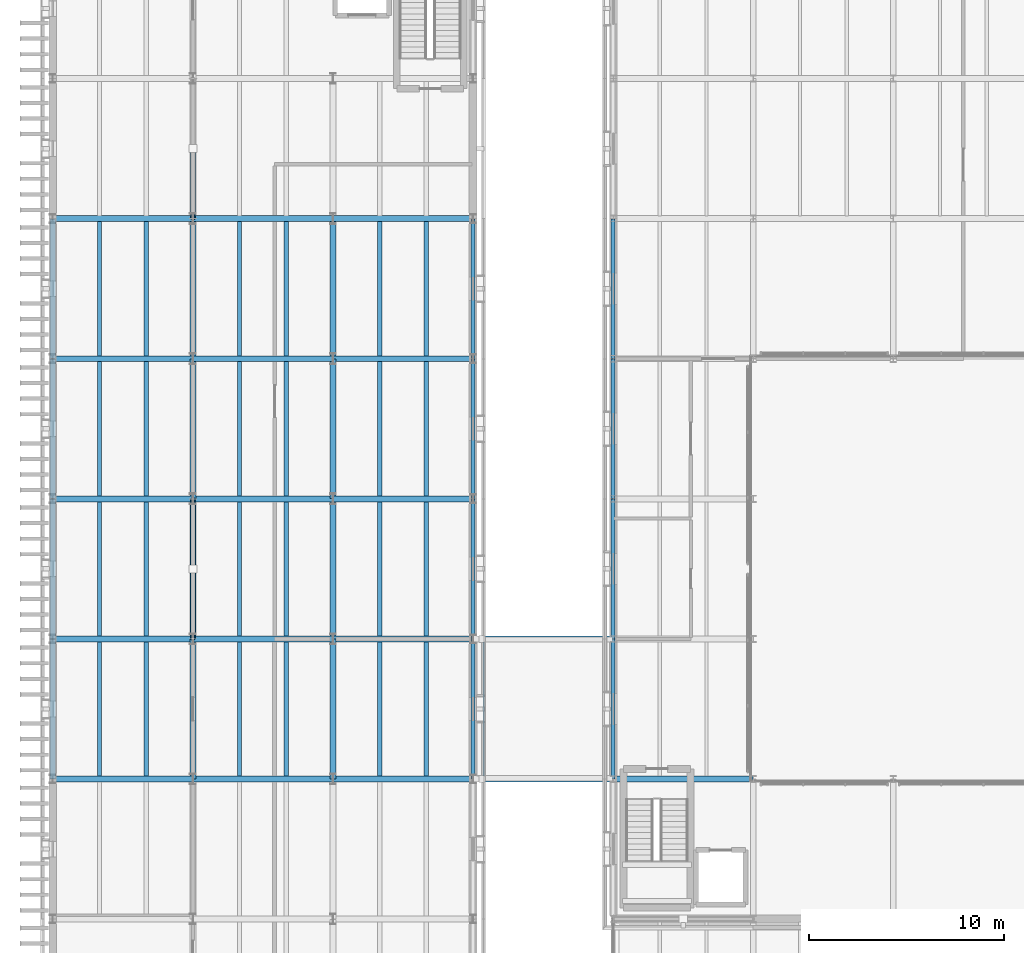
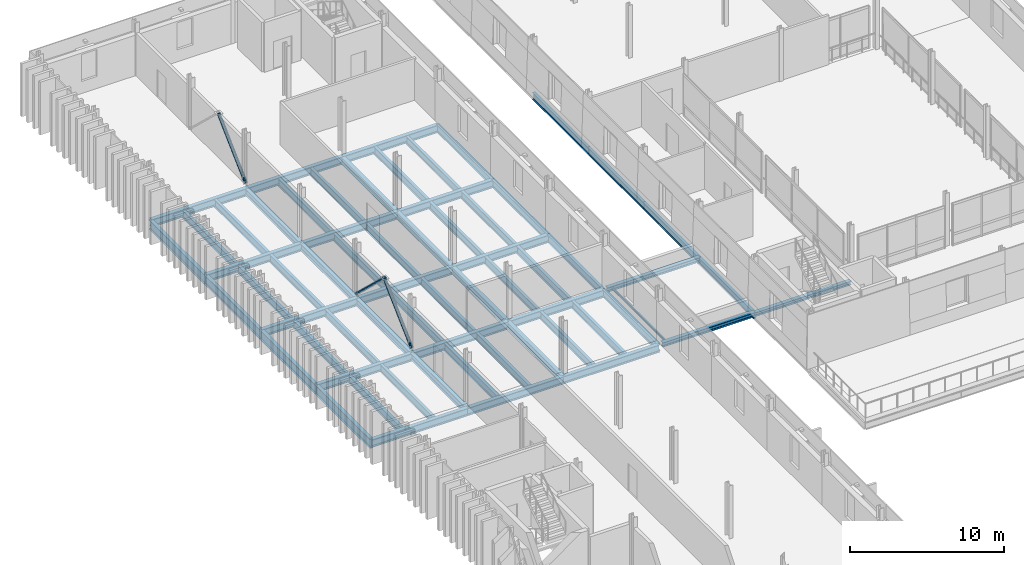
# One storey, part 17 of 91: 63 beams, 3 members.
"""IFC4 building model written with IfcOpenShell, lengths in metres."""

from ifc_helpers import new_model, si_unit, direction, frame, origin, origin_2d, place, context, subcontext, project, spatial, hollow_circle, i_section, extrude, material, material_profile, profile_set, type_object, element, save


model = new_model("IFC4")

# Units and contexts
model_context = context("Model", 3, precision=1e-05, world=origin(), true_north=direction((0.0, 1.0)))
body_context = subcontext(model_context, "Body", "Model", "MODEL_VIEW")
ifc_project = project(units=[si_unit("LENGTHUNIT", "METRE"), si_unit("AREAUNIT", "SQUARE_METRE"), si_unit("VOLUMEUNIT", "CUBIC_METRE"), si_unit("PLANEANGLEUNIT", "RADIAN"), si_unit("MASSUNIT", "GRAM", prefix="KILO")], contexts=[model_context])

# Site, building, storey
site_placement = place(None, origin())
site = spatial("IfcSite", under=ifc_project, at=site_placement, CompositionType="ELEMENT")
building_placement = place(site_placement, origin())
building = spatial("IfcBuilding", under=site, at=building_placement, Name="Narikvali Park Central Library", CompositionType="ELEMENT")
storey_placement = place(building_placement, frame((0.0, 0.0, 14.39990234375)))
storey = spatial("IfcBuildingStorey", under=building, at=storey_placement, Name="L03", CompositionType="ELEMENT", Elevation=14.39990234375)

# Beams
ifc_material = material(Name="Steel S355", Category="steel")
ifc_material_profile_1 = material_profile(ifc_material, i_section(OverallWidth=0.300048828125, OverallDepth=0.35009765625, WebThickness=0.010009765625, FlangeThickness=0.017578125, FilletRadius=0.027099609375, at=origin_2d()), Name="HEA 360")
ifc_profile_set_1 = profile_set([ifc_material_profile_1], Name="Steel S355")
beam_type_1 = type_object("IfcBeamType", Name="Bridge Sliding Girder HEA360", PredefinedType="BEAM", material=ifc_profile_set_1)
for number, where, z_axis, x_axis, name in (
    (1, (21.820068359375, 64.800048828125, -0.414794921875), (1.0, 0.0, 0.0), (0.0, 1.0, 0.0), "BRG-1 L03 Sliding Bridge Girder 1-1"),
    (2, (21.820068359375, 72.0, -0.414794921875), (1.0, 0.0, 0.0), (0.0, 1.0, 0.0), "BRG-1 L03 Sliding Bridge Girder 2-1"),
):
    element("IfcBeam", number, at=place(storey_placement, frame(where, z_axis=z_axis, x_axis=x_axis)), inside=storey, type_object=beam_type_1, Name=name, PredefinedType="BEAM", context=body_context, shape_type="SweptSolid", body=[
        extrude(i_section(OverallWidth=0.300048828125, OverallDepth=0.35009765625, WebThickness=0.010009765625, FlangeThickness=0.017578125, FilletRadius=0.027099609375, at=origin_2d()), origin(), (0.0, 0.0, 1.0), 6.969970703125),
    ])
ifc_material_profile_2 = material_profile(ifc_material, i_section(OverallWidth=0.219970703125, OverallDepth=0.60009765625, WebThickness=0.011962890625, FlangeThickness=0.01904296875, FilletRadius=0.02392578125, at=origin_2d()), Name="IPE 600")
ifc_profile_set_2 = profile_set([ifc_material_profile_2], Name="Steel S355")
beam_type_2 = type_object("IfcBeamType", Name="Compact Archive Joist IPE600", PredefinedType="JOIST", material=ifc_profile_set_2)
for number, where, z_axis, x_axis, name in (
    (3, (2.39990234375, 64.949951171875, -0.599853515625), (0.0, 1.0, 0.0), (-1.0, 0.0, 0.0), "V5 L03 Composite Joist 1"),
    (4, (4.800048828125, 64.949951171875, -0.599853515625), (0.0, 1.0, 0.0), (-1.0, 0.0, 0.0), "V5 L03 Composite Joist 2"),
    (5, (2.39990234375, 72.14990234375, -0.599853515625), (0.0, 1.0, 0.0), (-1.0, 0.0, 0.0), "V5 L03 Composite Joist 1"),
    (6, (4.800048828125, 72.14990234375, -0.599853515625), (0.0, 1.0, 0.0), (-1.0, 0.0, 0.0), "V5 L03 Composite Joist 2"),
):
    element("IfcBeam", number, at=place(storey_placement, frame(where, z_axis=z_axis, x_axis=x_axis)), inside=storey, type_object=beam_type_2, Name=name, PredefinedType="JOIST", context=body_context, shape_type="SweptSolid", body=[
        extrude(i_section(OverallWidth=0.219970703125, OverallDepth=0.60009765625, WebThickness=0.011962890625, FlangeThickness=0.01904296875, FilletRadius=0.02392578125, at=origin_2d()), origin(), (0.0, 0.0, 1.0), 6.900146484375),
    ])
for number, where, z_axis, x_axis, name in (
    (7, (2.39990234375, 79.35009765625, -0.599853515625), (0.0, 1.0, 0.0), (-1.0, 0.0, 0.0), "V5 L03 Composite Joist 1"),
    (8, (4.800048828125, 79.35009765625, -0.599853515625), (0.0, 1.0, 0.0), (-1.0, 0.0, 0.0), "V5 L03 Composite Joist 2"),
    (9, (2.39990234375, 86.550048828125, -0.599853515625), (0.0, 1.0, 0.0), (-1.0, 0.0, 0.0), "V5 L03 Composite Joist 1"),
    (10, (4.800048828125, 86.550048828125, -0.599853515625), (0.0, 1.0, 0.0), (-1.0, 0.0, 0.0), "V5 L03 Composite Joist 2"),
):
    element("IfcBeam", number, at=place(storey_placement, frame(where, z_axis=z_axis, x_axis=x_axis)), inside=storey, type_object=beam_type_2, Name=name, PredefinedType="JOIST", context=body_context, shape_type="SweptSolid", body=[
        extrude(i_section(OverallWidth=0.219970703125, OverallDepth=0.60009765625, WebThickness=0.011962890625, FlangeThickness=0.01904296875, FilletRadius=0.02392578125, at=origin_2d()), origin(), (0.0, 0.0, 1.0), 6.89990234375),
    ])
for number, where, z_axis, x_axis, name in (
    (11, (9.60009765625, 64.949951171875, -0.599853515625), (0.0, 1.0, 0.0), (-1.0, 0.0, 0.0), "V5 L03 Composite Joist 1"),
    (12, (12.0, 64.949951171875, -0.599853515625), (0.0, 1.0, 0.0), (-1.0, 0.0, 0.0), "V5 L03 Composite Joist 2"),
    (13, (9.60009765625, 72.14990234375, -0.599853515625), (0.0, 1.0, 0.0), (-1.0, 0.0, 0.0), "V5 L03 Composite Joist 1"),
    (14, (12.0, 72.14990234375, -0.599853515625), (0.0, 1.0, 0.0), (-1.0, 0.0, 0.0), "V5 L03 Composite Joist 2"),
):
    element("IfcBeam", number, at=place(storey_placement, frame(where, z_axis=z_axis, x_axis=x_axis)), inside=storey, type_object=beam_type_2, Name=name, PredefinedType="JOIST", context=body_context, shape_type="SweptSolid", body=[
        extrude(i_section(OverallWidth=0.219970703125, OverallDepth=0.60009765625, WebThickness=0.011962890625, FlangeThickness=0.01904296875, FilletRadius=0.02392578125, at=origin_2d()), origin(), (0.0, 0.0, 1.0), 6.900146484375),
    ])
for number, where, z_axis, x_axis, name in (
    (15, (9.60009765625, 79.35009765625, -0.599853515625), (0.0, 1.0, 0.0), (-1.0, 0.0, 0.0), "V5 L03 Composite Joist 1"),
    (16, (12.0, 79.35009765625, -0.599853515625), (0.0, 1.0, 0.0), (-1.0, 0.0, 0.0), "V5 L03 Composite Joist 2"),
    (17, (9.60009765625, 86.550048828125, -0.599853515625), (0.0, 1.0, 0.0), (-1.0, 0.0, 0.0), "V5 L03 Composite Joist 1"),
    (18, (12.0, 86.550048828125, -0.599853515625), (0.0, 1.0, 0.0), (-1.0, 0.0, 0.0), "V5 L03 Composite Joist 2"),
):
    element("IfcBeam", number, at=place(storey_placement, frame(where, z_axis=z_axis, x_axis=x_axis)), inside=storey, type_object=beam_type_2, Name=name, PredefinedType="JOIST", context=body_context, shape_type="SweptSolid", body=[
        extrude(i_section(OverallWidth=0.219970703125, OverallDepth=0.60009765625, WebThickness=0.011962890625, FlangeThickness=0.01904296875, FilletRadius=0.02392578125, at=origin_2d()), origin(), (0.0, 0.0, 1.0), 6.89990234375),
    ])
for number, where, z_axis, x_axis, name in (
    (19, (16.800048828125, 64.949951171875, -0.599853515625), (0.0, 1.0, 0.0), (-1.0, 0.0, 0.0), "V5 L03 Composite Joist 1"),
    (20, (19.199951171875, 64.949951171875, -0.599853515625), (0.0, 1.0, 0.0), (-1.0, 0.0, 0.0), "V5 L03 Composite Joist 2"),
    (21, (16.800048828125, 72.14990234375, -0.599853515625), (0.0, 1.0, 0.0), (-1.0, 0.0, 0.0), "V5 L03 Composite Joist 1"),
    (22, (19.199951171875, 72.14990234375, -0.599853515625), (0.0, 1.0, 0.0), (-1.0, 0.0, 0.0), "V5 L03 Composite Joist 2"),
):
    element("IfcBeam", number, at=place(storey_placement, frame(where, z_axis=z_axis, x_axis=x_axis)), inside=storey, type_object=beam_type_2, Name=name, PredefinedType="JOIST", context=body_context, shape_type="SweptSolid", body=[
        extrude(i_section(OverallWidth=0.219970703125, OverallDepth=0.60009765625, WebThickness=0.011962890625, FlangeThickness=0.01904296875, FilletRadius=0.02392578125, at=origin_2d()), origin(), (0.0, 0.0, 1.0), 6.900146484375),
    ])
for number, where, z_axis, x_axis, name in (
    (23, (16.800048828125, 79.35009765625, -0.599853515625), (0.0, 1.0, 0.0), (-1.0, 0.0, 0.0), "V5 L03 Composite Joist 1"),
    (24, (19.199951171875, 79.35009765625, -0.599853515625), (0.0, 1.0, 0.0), (-1.0, 0.0, 0.0), "V5 L03 Composite Joist 2"),
    (25, (16.800048828125, 86.550048828125, -0.599853515625), (0.0, 1.0, 0.0), (-1.0, 0.0, 0.0), "V5 L03 Composite Joist 1"),
    (26, (19.199951171875, 86.550048828125, -0.599853515625), (0.0, 1.0, 0.0), (-1.0, 0.0, 0.0), "V5 L03 Composite Joist 2"),
):
    element("IfcBeam", number, at=place(storey_placement, frame(where, z_axis=z_axis, x_axis=x_axis)), inside=storey, type_object=beam_type_2, Name=name, PredefinedType="JOIST", context=body_context, shape_type="SweptSolid", body=[
        extrude(i_section(OverallWidth=0.219970703125, OverallDepth=0.60009765625, WebThickness=0.011962890625, FlangeThickness=0.01904296875, FilletRadius=0.02392578125, at=origin_2d()), origin(), (0.0, 0.0, 1.0), 6.89990234375),
    ])
ifc_material_profile_3 = material_profile(ifc_material, i_section(OverallWidth=0.264892578125, OverallDepth=0.7529296875, WebThickness=0.01318359375, FlangeThickness=0.01708984375, FilletRadius=0.01708984375, at=origin_2d()), Name="IPE 750x147")
ifc_profile_set_3 = profile_set([ifc_material_profile_3], Name="Steel S355")
beam_type_3 = type_object("IfcBeamType", Name="Fin Facade Spandrel IPE750", PredefinedType="SPANDREL", material=ifc_profile_set_3)
for number, where, z_axis, x_axis, name in (
    (27, (0.0, 64.80810546875, -0.676513671875), (0.0, 1.0, 0.0), (-1.0, 0.0, 0.0), "V5 L03 Girder Y"),
    (28, (0.0, 72.008056640625, -0.676513671875), (0.0, 1.0, 0.0), (-1.0, 0.0, 0.0), "V5 L03 Girder Y"),
):
    element("IfcBeam", number, at=place(storey_placement, frame(where, z_axis=z_axis, x_axis=x_axis)), inside=storey, type_object=beam_type_3, Name=name, PredefinedType="SPANDREL", context=body_context, shape_type="SweptSolid", body=[
        extrude(i_section(OverallWidth=0.264892578125, OverallDepth=0.7529296875, WebThickness=0.01318359375, FlangeThickness=0.01708984375, FilletRadius=0.01708984375, at=origin_2d()), origin(), (0.0, 0.0, 1.0), 7.183837890625),
    ])
for number, where, z_axis, x_axis, name in (
    (29, (0.0, 79.2080078125, -0.676513671875), (0.0, 1.0, 0.0), (-1.0, 0.0, 0.0), "V5 L03 Girder Y"),
    (30, (0.0, 86.407958984375, -0.676513671875), (0.0, 1.0, 0.0), (-1.0, 0.0, 0.0), "V5 L03 Girder Y"),
):
    element("IfcBeam", number, at=place(storey_placement, frame(where, z_axis=z_axis, x_axis=x_axis)), inside=storey, type_object=beam_type_3, Name=name, PredefinedType="SPANDREL", context=body_context, shape_type="SweptSolid", body=[
        extrude(i_section(OverallWidth=0.264892578125, OverallDepth=0.7529296875, WebThickness=0.01318359375, FlangeThickness=0.01708984375, FilletRadius=0.01708984375, at=origin_2d()), origin(), (0.0, 0.0, 1.0), 7.18408203125),
    ])
ifc_material_profile_4 = material_profile(ifc_material, i_section(OverallWidth=0.2099609375, OverallDepth=0.550048828125, WebThickness=0.010986328125, FlangeThickness=0.01708984375, FilletRadius=0.02392578125, at=origin_2d()), Name="IPE 550")
ifc_profile_set_4 = profile_set([ifc_material_profile_4], Name="Steel S355")
beam_type_4 = type_object("IfcBeamType", Name="Perimeter Spandrel IPE550", PredefinedType="SPANDREL", material=ifc_profile_set_4)
for number, where, z_axis, x_axis, name in (
    (31, (28.800048828125, 64.80810546875, -0.554931640625), (0.0, 1.0, 0.0), (-1.0, 0.0, 0.0), "V4 L03 Girder Y"),
    (32, (28.800048828125, 72.008056640625, -0.554931640625), (0.0, 1.0, 0.0), (-1.0, 0.0, 0.0), "V4 L03 Girder Y"),
):
    element("IfcBeam", number, at=place(storey_placement, frame(where, z_axis=z_axis, x_axis=x_axis)), inside=storey, type_object=beam_type_4, Name=name, PredefinedType="SPANDREL", context=body_context, shape_type="SweptSolid", body=[
        extrude(i_section(OverallWidth=0.2099609375, OverallDepth=0.550048828125, WebThickness=0.010986328125, FlangeThickness=0.01708984375, FilletRadius=0.02392578125, at=origin_2d()), origin(), (0.0, 0.0, 1.0), 7.183837890625),
    ])
for number, where, z_axis, x_axis, name in (
    (33, (28.800048828125, 79.2080078125, -0.554931640625), (0.0, 1.0, 0.0), (-1.0, 0.0, 0.0), "V4 L03 Girder Y"),
    (34, (28.800048828125, 86.407958984375, -0.554931640625), (0.0, 1.0, 0.0), (-1.0, 0.0, 0.0), "V4 L03 Girder Y"),
):
    element("IfcBeam", number, at=place(storey_placement, frame(where, z_axis=z_axis, x_axis=x_axis)), inside=storey, type_object=beam_type_4, Name=name, PredefinedType="SPANDREL", context=body_context, shape_type="SweptSolid", body=[
        extrude(i_section(OverallWidth=0.2099609375, OverallDepth=0.550048828125, WebThickness=0.010986328125, FlangeThickness=0.01708984375, FilletRadius=0.02392578125, at=origin_2d()), origin(), (0.0, 0.0, 1.0), 7.18408203125),
    ])
ifc_material_profile_5 = material_profile(ifc_material, i_section(OverallWidth=0.219970703125, OverallDepth=0.60009765625, WebThickness=0.011962890625, FlangeThickness=0.01904296875, FilletRadius=0.02392578125, at=origin_2d()), Name="IPE 600")
ifc_profile_set_5 = profile_set([ifc_material_profile_5], Name="Steel S355")
beam_type_5 = type_object("IfcBeamType", Name="Perimeter Spandrel IPE600", PredefinedType="SPANDREL", material=ifc_profile_set_5)
for number, where, z_axis, x_axis, name in (
    (35, (21.60009765625, 64.80810546875, -0.599853515625), (0.0, 1.0, 0.0), (-1.0, 0.0, 0.0), "V5 L03 Girder Y"),
    (36, (21.60009765625, 72.008056640625, -0.599853515625), (0.0, 1.0, 0.0), (-1.0, 0.0, 0.0), "V5 L03 Girder Y"),
):
    element("IfcBeam", number, at=place(storey_placement, frame(where, z_axis=z_axis, x_axis=x_axis)), inside=storey, type_object=beam_type_5, Name=name, PredefinedType="SPANDREL", context=body_context, shape_type="SweptSolid", body=[
        extrude(i_section(OverallWidth=0.219970703125, OverallDepth=0.60009765625, WebThickness=0.011962890625, FlangeThickness=0.01904296875, FilletRadius=0.02392578125, at=origin_2d()), origin(), (0.0, 0.0, 1.0), 7.183837890625),
    ])
for number, where, z_axis, x_axis, name in (
    (37, (21.60009765625, 79.2080078125, -0.599853515625), (0.0, 1.0, 0.0), (-1.0, 0.0, 0.0), "V5 L03 Girder Y"),
    (38, (21.60009765625, 86.407958984375, -0.599853515625), (0.0, 1.0, 0.0), (-1.0, 0.0, 0.0), "V5 L03 Girder Y"),
):
    element("IfcBeam", number, at=place(storey_placement, frame(where, z_axis=z_axis, x_axis=x_axis)), inside=storey, type_object=beam_type_5, Name=name, PredefinedType="SPANDREL", context=body_context, shape_type="SweptSolid", body=[
        extrude(i_section(OverallWidth=0.219970703125, OverallDepth=0.60009765625, WebThickness=0.011962890625, FlangeThickness=0.01904296875, FilletRadius=0.02392578125, at=origin_2d()), origin(), (0.0, 0.0, 1.0), 7.18408203125),
    ])
ifc_material_profile_6 = material_profile(ifc_material, i_section(OverallWidth=0.091064453125, OverallDepth=0.179931640625, WebThickness=0.00537109375, FlangeThickness=0.008056640625, FilletRadius=0.009033203125, at=origin_2d()), Name="IPE 180")
ifc_profile_set_6 = profile_set([ifc_material_profile_6], Name="Steel S355")
beam_type_6 = type_object("IfcBeamType", Name="Portal Steel Lintel IPE180", PredefinedType="LINTEL", material=ifc_profile_set_6)
beam_1_placement = place(storey_placement, frame((22.14990234375, 64.9599609375, -0.329833984375), z_axis=(0.0, 1.0, 0.0), x_axis=(-1.0, 0.0, 0.0)))
element("IfcBeam", 39, at=beam_1_placement, inside=storey, type_object=beam_type_6, Name="BRG-1 L03 Portal Transverse Lintel", PredefinedType="LINTEL", context=body_context, shape_type="SweptSolid", body=[
    extrude(i_section(OverallWidth=0.091064453125, OverallDepth=0.179931640625, WebThickness=0.00537109375, FlangeThickness=0.008056640625, FilletRadius=0.009033203125, at=origin_2d()), origin(), (0.0, 0.0, 1.0), 6.880126953125),
])
ifc_material_profile_7 = material_profile(ifc_material, i_section(OverallWidth=0.300048828125, OverallDepth=0.31005859375, WebThickness=0.009033203125, FlangeThickness=0.015380859375, FilletRadius=0.027099609375, at=origin_2d()), Name="HEA 320")
ifc_profile_set_7 = profile_set([ifc_material_profile_7], Name="Steel S355")
beam_type_7 = type_object("IfcBeamType", Name="Primary Girder HEA320", PredefinedType="BEAM", material=ifc_profile_set_7)
beam_2_placement = place(storey_placement, frame((28.80810546875, 64.800048828125, -0.434814453125), z_axis=(1.0, 0.0, 0.0), x_axis=(0.0, 1.0, 0.0)))
element("IfcBeam", 40, at=beam_2_placement, inside=storey, type_object=beam_type_7, Name="V4 L03 Girder X", PredefinedType="BEAM", context=body_context, shape_type="SweptSolid", body=[
    extrude(i_section(OverallWidth=0.300048828125, OverallDepth=0.31005859375, WebThickness=0.009033203125, FlangeThickness=0.015380859375, FilletRadius=0.027099609375, at=origin_2d()), origin(), (0.0, 0.0, 1.0), 7.183837890625),
])
ifc_material_profile_8 = material_profile(ifc_material, i_section(OverallWidth=0.300048828125, OverallDepth=0.5400390625, WebThickness=0.012451171875, FlangeThickness=0.02392578125, FilletRadius=0.027099609375, at=origin_2d()), Name="HEA 550")
ifc_profile_set_8 = profile_set([ifc_material_profile_8], Name="Steel S355")
beam_type_8 = type_object("IfcBeamType", Name="Primary Girder HEA550", PredefinedType="BEAM", material=ifc_profile_set_8)
for number, where, z_axis, x_axis, name in (
    (41, (7.199951171875, 64.80810546875, -0.56982421875), (0.0, 1.0, 0.0), (-1.0, 0.0, 0.0), "V5 L03 Girder Y"),
    (42, (7.199951171875, 72.008056640625, -0.56982421875), (0.0, 1.0, 0.0), (-1.0, 0.0, 0.0), "V5 L03 Girder Y"),
):
    element("IfcBeam", number, at=place(storey_placement, frame(where, z_axis=z_axis, x_axis=x_axis)), inside=storey, type_object=beam_type_8, Name=name, PredefinedType="BEAM", context=body_context, shape_type="SweptSolid", body=[
        extrude(i_section(OverallWidth=0.300048828125, OverallDepth=0.5400390625, WebThickness=0.012451171875, FlangeThickness=0.02392578125, FilletRadius=0.027099609375, at=origin_2d()), origin(), (0.0, 0.0, 1.0), 7.183837890625),
    ])
for number, where, z_axis, x_axis, name in (
    (43, (7.199951171875, 79.2080078125, -0.56982421875), (0.0, 1.0, 0.0), (-1.0, 0.0, 0.0), "V5 L03 Girder Y"),
    (44, (7.199951171875, 86.407958984375, -0.56982421875), (0.0, 1.0, 0.0), (-1.0, 0.0, 0.0), "V5 L03 Girder Y"),
):
    element("IfcBeam", number, at=place(storey_placement, frame(where, z_axis=z_axis, x_axis=x_axis)), inside=storey, type_object=beam_type_8, Name=name, PredefinedType="BEAM", context=body_context, shape_type="SweptSolid", body=[
        extrude(i_section(OverallWidth=0.300048828125, OverallDepth=0.5400390625, WebThickness=0.012451171875, FlangeThickness=0.02392578125, FilletRadius=0.027099609375, at=origin_2d()), origin(), (0.0, 0.0, 1.0), 7.18408203125),
    ])
for number, where, z_axis, x_axis, name in (
    (45, (14.39990234375, 64.80810546875, -0.56982421875), (0.0, 1.0, 0.0), (-1.0, 0.0, 0.0), "V5 L03 Girder Y"),
    (46, (14.39990234375, 72.008056640625, -0.56982421875), (0.0, 1.0, 0.0), (-1.0, 0.0, 0.0), "V5 L03 Girder Y"),
):
    element("IfcBeam", number, at=place(storey_placement, frame(where, z_axis=z_axis, x_axis=x_axis)), inside=storey, type_object=beam_type_8, Name=name, PredefinedType="BEAM", context=body_context, shape_type="SweptSolid", body=[
        extrude(i_section(OverallWidth=0.300048828125, OverallDepth=0.5400390625, WebThickness=0.012451171875, FlangeThickness=0.02392578125, FilletRadius=0.027099609375, at=origin_2d()), origin(), (0.0, 0.0, 1.0), 7.183837890625),
    ])
for number, where, z_axis, x_axis, name in (
    (47, (14.39990234375, 79.2080078125, -0.56982421875), (0.0, 1.0, 0.0), (-1.0, 0.0, 0.0), "V5 L03 Girder Y"),
    (48, (14.39990234375, 86.407958984375, -0.56982421875), (0.0, 1.0, 0.0), (-1.0, 0.0, 0.0), "V5 L03 Girder Y"),
):
    element("IfcBeam", number, at=place(storey_placement, frame(where, z_axis=z_axis, x_axis=x_axis)), inside=storey, type_object=beam_type_8, Name=name, PredefinedType="BEAM", context=body_context, shape_type="SweptSolid", body=[
        extrude(i_section(OverallWidth=0.300048828125, OverallDepth=0.5400390625, WebThickness=0.012451171875, FlangeThickness=0.02392578125, FilletRadius=0.027099609375, at=origin_2d()), origin(), (0.0, 0.0, 1.0), 7.18408203125),
    ])
ifc_material_profile_9 = material_profile(ifc_material, i_section(OverallWidth=0.300048828125, OverallDepth=0.60009765625, WebThickness=0.015380859375, FlangeThickness=0.030029296875, FilletRadius=0.027099609375, at=origin_2d()), Name="HEB 600")
ifc_profile_set_9 = profile_set([ifc_material_profile_9], Name="Steel S355")
beam_type_9 = type_object("IfcBeamType", Name="Primary Stack Girder HEB600", PredefinedType="BEAM", material=ifc_profile_set_9)
beam_3_placement = place(storey_placement, frame((0.008056640625, 64.800048828125, -0.599853515625), z_axis=(1.0, 0.0, 0.0), x_axis=(0.0, 1.0, 0.0)))
element("IfcBeam", 49, at=beam_3_placement, inside=storey, type_object=beam_type_9, Name="V5 L03 Girder X", PredefinedType="BEAM", context=body_context, shape_type="SweptSolid", body=[
    extrude(i_section(OverallWidth=0.300048828125, OverallDepth=0.60009765625, WebThickness=0.015380859375, FlangeThickness=0.030029296875, FilletRadius=0.027099609375, at=origin_2d()), origin(), (0.0, 0.0, 1.0), 7.183837890625),
])
for number, where, z_axis, x_axis, name in (
    (50, (7.2080078125, 64.800048828125, -0.599853515625), (1.0, 0.0, 0.0), (0.0, 1.0, 0.0), "V5 L03 Girder X"),
    (51, (14.407958984375, 64.800048828125, -0.599853515625), (1.0, 0.0, 0.0), (0.0, 1.0, 0.0), "V5 L03 Girder X"),
):
    element("IfcBeam", number, at=place(storey_placement, frame(where, z_axis=z_axis, x_axis=x_axis)), inside=storey, type_object=beam_type_9, Name=name, PredefinedType="BEAM", context=body_context, shape_type="SweptSolid", body=[
        extrude(i_section(OverallWidth=0.300048828125, OverallDepth=0.60009765625, WebThickness=0.015380859375, FlangeThickness=0.030029296875, FilletRadius=0.027099609375, at=origin_2d()), origin(), (0.0, 0.0, 1.0), 7.18408203125),
    ])
beam_4_placement = place(storey_placement, frame((0.008056640625, 72.0, -0.599853515625), z_axis=(1.0, 0.0, 0.0), x_axis=(0.0, 1.0, 0.0)))
element("IfcBeam", 52, at=beam_4_placement, inside=storey, type_object=beam_type_9, Name="V5 L03 Girder X", PredefinedType="BEAM", context=body_context, shape_type="SweptSolid", body=[
    extrude(i_section(OverallWidth=0.300048828125, OverallDepth=0.60009765625, WebThickness=0.015380859375, FlangeThickness=0.030029296875, FilletRadius=0.027099609375, at=origin_2d()), origin(), (0.0, 0.0, 1.0), 7.183837890625),
])
for number, where, z_axis, x_axis, name in (
    (53, (7.2080078125, 72.0, -0.599853515625), (1.0, 0.0, 0.0), (0.0, 1.0, 0.0), "V5 L03 Girder X"),
    (54, (14.407958984375, 72.0, -0.599853515625), (1.0, 0.0, 0.0), (0.0, 1.0, 0.0), "V5 L03 Girder X"),
):
    element("IfcBeam", number, at=place(storey_placement, frame(where, z_axis=z_axis, x_axis=x_axis)), inside=storey, type_object=beam_type_9, Name=name, PredefinedType="BEAM", context=body_context, shape_type="SweptSolid", body=[
        extrude(i_section(OverallWidth=0.300048828125, OverallDepth=0.60009765625, WebThickness=0.015380859375, FlangeThickness=0.030029296875, FilletRadius=0.027099609375, at=origin_2d()), origin(), (0.0, 0.0, 1.0), 7.18408203125),
    ])
beam_5_placement = place(storey_placement, frame((0.008056640625, 79.199951171875, -0.599853515625), z_axis=(1.0, 0.0, 0.0), x_axis=(0.0, 1.0, 0.0)))
element("IfcBeam", 55, at=beam_5_placement, inside=storey, type_object=beam_type_9, Name="V5 L03 Girder X", PredefinedType="BEAM", context=body_context, shape_type="SweptSolid", body=[
    extrude(i_section(OverallWidth=0.300048828125, OverallDepth=0.60009765625, WebThickness=0.015380859375, FlangeThickness=0.030029296875, FilletRadius=0.027099609375, at=origin_2d()), origin(), (0.0, 0.0, 1.0), 7.183837890625),
])
for number, where, z_axis, x_axis, name in (
    (56, (7.2080078125, 79.199951171875, -0.599853515625), (1.0, 0.0, 0.0), (0.0, 1.0, 0.0), "V5 L03 Girder X"),
    (57, (14.407958984375, 79.199951171875, -0.599853515625), (1.0, 0.0, 0.0), (0.0, 1.0, 0.0), "V5 L03 Girder X"),
):
    element("IfcBeam", number, at=place(storey_placement, frame(where, z_axis=z_axis, x_axis=x_axis)), inside=storey, type_object=beam_type_9, Name=name, PredefinedType="BEAM", context=body_context, shape_type="SweptSolid", body=[
        extrude(i_section(OverallWidth=0.300048828125, OverallDepth=0.60009765625, WebThickness=0.015380859375, FlangeThickness=0.030029296875, FilletRadius=0.027099609375, at=origin_2d()), origin(), (0.0, 0.0, 1.0), 7.18408203125),
    ])
beam_6_placement = place(storey_placement, frame((0.008056640625, 86.39990234375, -0.599853515625), z_axis=(1.0, 0.0, 0.0), x_axis=(0.0, 1.0, 0.0)))
element("IfcBeam", 58, at=beam_6_placement, inside=storey, type_object=beam_type_9, Name="V5 L03 Girder X", PredefinedType="BEAM", context=body_context, shape_type="SweptSolid", body=[
    extrude(i_section(OverallWidth=0.300048828125, OverallDepth=0.60009765625, WebThickness=0.015380859375, FlangeThickness=0.030029296875, FilletRadius=0.027099609375, at=origin_2d()), origin(), (0.0, 0.0, 1.0), 7.183837890625),
])
for number, where, z_axis, x_axis, name in (
    (59, (7.2080078125, 86.39990234375, -0.599853515625), (1.0, 0.0, 0.0), (0.0, 1.0, 0.0), "V5 L03 Girder X"),
    (60, (14.407958984375, 86.39990234375, -0.599853515625), (1.0, 0.0, 0.0), (0.0, 1.0, 0.0), "V5 L03 Girder X"),
):
    element("IfcBeam", number, at=place(storey_placement, frame(where, z_axis=z_axis, x_axis=x_axis)), inside=storey, type_object=beam_type_9, Name=name, PredefinedType="BEAM", context=body_context, shape_type="SweptSolid", body=[
        extrude(i_section(OverallWidth=0.300048828125, OverallDepth=0.60009765625, WebThickness=0.015380859375, FlangeThickness=0.030029296875, FilletRadius=0.027099609375, at=origin_2d()), origin(), (0.0, 0.0, 1.0), 7.18408203125),
    ])
beam_7_placement = place(storey_placement, frame((0.008056640625, 93.60009765625, -0.599853515625), z_axis=(1.0, 0.0, 0.0), x_axis=(0.0, 1.0, 0.0)))
element("IfcBeam", 61, at=beam_7_placement, inside=storey, type_object=beam_type_9, Name="V5 L03 Girder X", PredefinedType="BEAM", context=body_context, shape_type="SweptSolid", body=[
    extrude(i_section(OverallWidth=0.300048828125, OverallDepth=0.60009765625, WebThickness=0.015380859375, FlangeThickness=0.030029296875, FilletRadius=0.027099609375, at=origin_2d()), origin(), (0.0, 0.0, 1.0), 7.183837890625),
])
for number, where, z_axis, x_axis, name in (
    (62, (7.2080078125, 93.60009765625, -0.599853515625), (1.0, 0.0, 0.0), (0.0, 1.0, 0.0), "V5 L03 Girder X"),
    (63, (14.407958984375, 93.60009765625, -0.599853515625), (1.0, 0.0, 0.0), (0.0, 1.0, 0.0), "V5 L03 Girder X"),
):
    element("IfcBeam", number, at=place(storey_placement, frame(where, z_axis=z_axis, x_axis=x_axis)), inside=storey, type_object=beam_type_9, Name=name, PredefinedType="BEAM", context=body_context, shape_type="SweptSolid", body=[
        extrude(i_section(OverallWidth=0.300048828125, OverallDepth=0.60009765625, WebThickness=0.015380859375, FlangeThickness=0.030029296875, FilletRadius=0.027099609375, at=origin_2d()), origin(), (0.0, 0.0, 1.0), 7.18408203125),
    ])

# Members
ifc_material_profile_10 = material_profile(ifc_material, hollow_circle(Radius=0.122314453125, WallThickness=0.012451171875, at=origin_2d()), Name="CHS 244.5x12.5")
ifc_profile_set_10 = profile_set([ifc_material_profile_10], Name="Steel S355")
member_type = type_object("IfcMemberType", Name="Upper Chevron Brace CHS244", PredefinedType="BRACE", material=ifc_profile_set_10)
member_placement = place(storey_placement, frame((7.199951171875, 72.014892578125, 0.01513671875), z_axis=(0.0, 0.725091886085, 0.688652130421), x_axis=(-1.0, 0.0, 0.0)))
element("IfcMember", 64, at=member_placement, inside=storey, type_object=member_type, Name="V5 L03 Seismic Chevron Brace A", PredefinedType="BRACE", context=body_context, shape_type="SweptSolid", body=[
    extrude(hollow_circle(Radius=0.122314453125, WallThickness=0.012451171875, at=origin_2d()), origin(), (0.0, 0.0, 1.0), 4.944580078125),
])
for number, where, z_axis, x_axis, name in (
    (65, (7.199951171875, 79.18505859375, 0.01513671875), (0.0, -0.725068468495, 0.688676786305), (1.0, 0.0, 0.0), "V5 L03 Seismic Chevron Brace B"),
    (66, (7.199951171875, 93.614990234375, 0.01513671875), (0.0, 0.725068468495, 0.688676786305), (-1.0, 0.0, 0.0), "V5 L03 Seismic Chevron Brace A"),
):
    element("IfcMember", number, at=place(storey_placement, frame(where, z_axis=z_axis, x_axis=x_axis)), inside=storey, type_object=member_type, Name=name, PredefinedType="BRACE", context=body_context, shape_type="SweptSolid", body=[
        extrude(hollow_circle(Radius=0.122314453125, WallThickness=0.012451171875, at=origin_2d()), origin(), (0.0, 0.0, 1.0), 4.9443359375),
    ])

save(model, "model.ifc")
